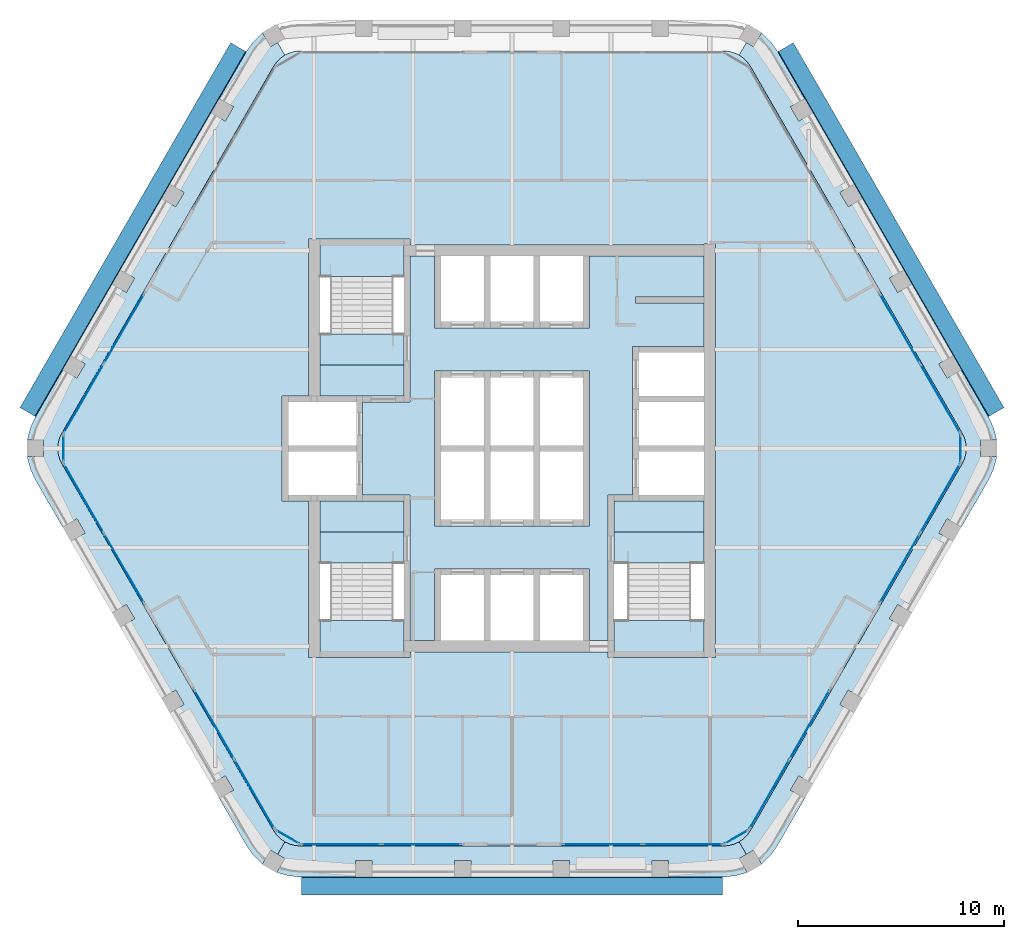
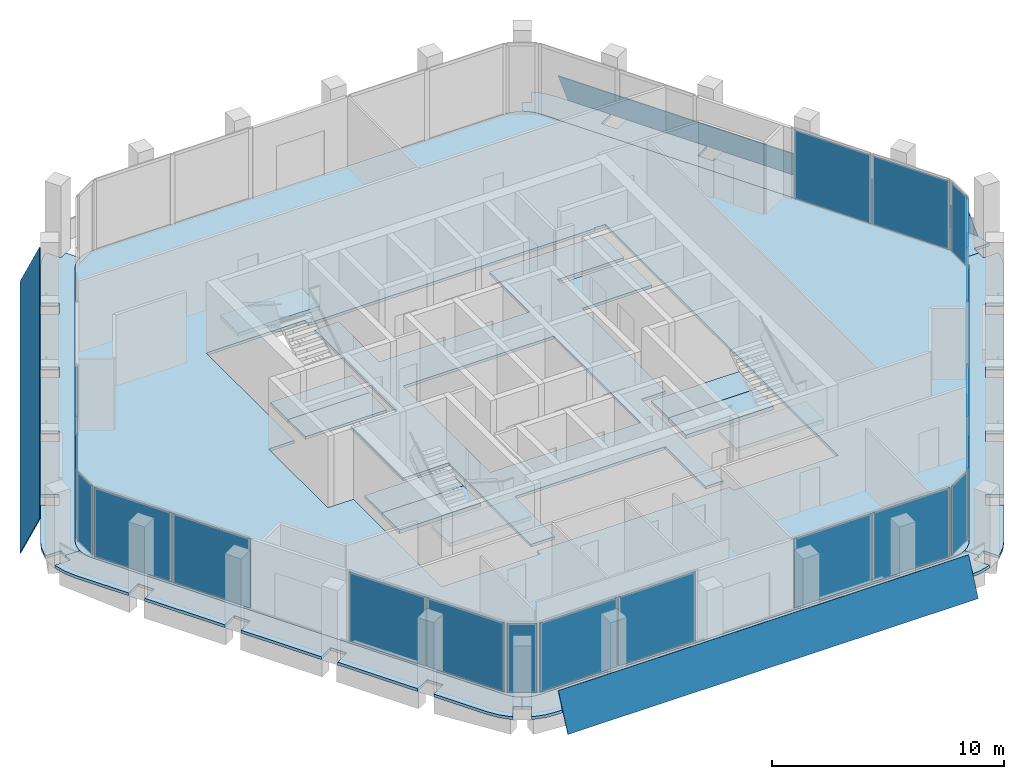
# One storey, part 6 of 13: 23 plates, 16 slabs, 15 elements without a shape of their own.
"""IFC4 building model written with IfcOpenShell, lengths in metres."""

from ifc_helpers import new_model, si_unit, direction, frame, origin, origin_2d, place, context, subcontext, project, spatial, polyline, rectangle, outline, extrude, material, layer, layer_set, type_object, element, aggregate, save


model = new_model("IFC4")

# Units and contexts
model_context = context("Model", 3, precision=1e-05, world=origin(), true_north=direction((0.0, 1.0)))
body_context = subcontext(model_context, "Body", "Model", "MODEL_VIEW")
ifc_project = project(units=[si_unit("LENGTHUNIT", "METRE"), si_unit("AREAUNIT", "SQUARE_METRE"), si_unit("VOLUMEUNIT", "CUBIC_METRE"), si_unit("PLANEANGLEUNIT", "RADIAN"), si_unit("MASSUNIT", "GRAM", prefix="KILO")], contexts=[model_context])

# Site, building, storey
site_placement = place(None, origin())
site = spatial("IfcSite", under=ifc_project, at=site_placement, CompositionType="ELEMENT")
building_placement = place(site_placement, origin())
building = spatial("IfcBuilding", under=site, at=building_placement, Name="Kolab Exchange Tower", CompositionType="ELEMENT")
storey_placement = place(building_placement, frame((0.0, 0.0, 277.39990234375)))
storey = spatial("IfcBuildingStorey", under=building, at=storey_placement, Name="L62", CompositionType="ELEMENT", Elevation=277.39990234375)

# Slabs
ifc_material_1 = material(Name="Concrete C35/45", Category="concrete")
ifc_layer_1 = layer(ifc_material_1, 0.14990234375)
ifc_layer_set_1 = layer_set([ifc_layer_1], Name="Concrete C35/45")
slab_type_1 = type_object("IfcSlabType", Name="FLOOR SLAB 150", PredefinedType="FLOOR", material=ifc_layer_set_1)
slab_1_placement = place(storey_placement, frame((0.0, 0.0, -0.14990234375)))
element("IfcSlab", 1, at=slab_1_placement, inside=storey, type_object=slab_type_1, Name="slab/L62/floor/0", PredefinedType="FLOOR", context=body_context, shape_type="SweptSolid", body=[
    extrude(outline(polyline([(11.56689453125, -18.53466796875), (21.8349609375, -0.75), (21.945556640625, -0.512939453125), (22.01318359375, -0.260498046875), (22.035888671875, 0.0), (22.01318359375, 0.260498046875), (21.945556640625, 0.512939453125), (21.8349609375, 0.75), (11.56689453125, 18.53466796875), (11.4169921875, 18.748779296875), (11.232177734375, 18.93359375), (11.01806640625, 19.083740234375), (10.781005859375, 19.194091796875), (10.5283203125, 19.26171875), (10.26806640625, 19.28466796875), (-10.26806640625, 19.28466796875), (-10.5283203125, 19.26171875), (-10.781005859375, 19.194091796875), (-11.01806640625, 19.083740234375), (-11.232177734375, 18.93359375), (-11.4169921875, 18.748779296875), (-11.56689453125, 18.53466796875), (-21.8349609375, 0.75), (-21.945556640625, 0.512939453125), (-22.01318359375, 0.260498046875), (-22.035888671875, 0.0), (-22.01318359375, -0.260498046875), (-21.945556640625, -0.512939453125), (-21.8349609375, -0.75), (-11.56689453125, -18.53466796875), (-11.4169921875, -18.748779296875), (-11.232177734375, -18.93359375), (-11.01806640625, -19.083740234375), (-10.781005859375, -19.194091796875), (-10.5283203125, -19.26171875), (-10.26806640625, -19.28466796875), (10.26806640625, -19.28466796875), (10.5283203125, -19.26171875), (10.781005859375, -19.194091796875), (11.01806640625, -19.083740234375), (11.232177734375, -18.93359375), (11.4169921875, -18.748779296875), (11.56689453125, -18.53466796875)]), holes=[polyline([(-9.324951171875, -10.14990234375), (-9.875, -10.14990234375), (-9.875, -2.550048828125), (-10.85009765625, -2.550048828125), (-11.14990234375, -2.550048828125), (-11.14990234375, 2.550048828125), (-10.85009765625, 2.550048828125), (-9.875, 2.550048828125), (-9.875, 10.14990234375), (-9.324951171875, 10.14990234375), (-5.25, 10.14990234375), (-4.949951171875, 10.14990234375), (-4.949951171875, 9.875), (9.324951171875, 9.875), (9.324951171875, 9.925048828125), (9.875, 9.925048828125), (9.875, -10.14990234375), (9.324951171875, -10.14990234375), (4.949951171875, -10.14990234375), (4.64990234375, -10.14990234375), (4.64990234375, -9.875), (-4.949951171875, -9.875), (-4.949951171875, -10.14990234375), (-5.25, -10.14990234375), (-9.324951171875, -10.14990234375)])]), origin(), (0.0, 0.0, 1.0), 0.14990234375),
])
slab_2_placement = place(storey_placement, frame((0.0, 0.0, -0.14990234375)))
element("IfcSlab", 2, at=slab_2_placement, inside=storey, type_object=slab_type_1, Name="slab/L62/floor/1", PredefinedType="FLOOR", context=body_context, shape_type="SweptSolid", body=[
    extrude(outline(polyline([(-4.949951171875, 9.324951171875), (-4.949951171875, 2.25), (-5.25, 2.25), (-7.25, 2.25), (-7.25, -2.25), (-5.25, -2.25), (-4.949951171875, -2.25), (-4.949951171875, -9.324951171875), (-3.75, -9.324951171875), (-3.75, -5.85009765625), (-3.449951171875, -5.85009765625), (-1.35009765625, -5.85009765625), (-1.050048828125, -5.85009765625), (1.050048828125, -5.85009765625), (1.35009765625, -5.85009765625), (3.449951171875, -5.85009765625), (3.75, -5.85009765625), (3.75, -9.324951171875), (4.64990234375, -9.324951171875), (4.64990234375, -2.25), (4.949951171875, -2.25), (5.85009765625, -2.25), (5.85009765625, 4.949951171875), (6.14990234375, 4.949951171875), (9.324951171875, 4.949951171875), (9.324951171875, 7.050048828125), (6.0, 7.050048828125), (6.0, 7.35009765625), (9.324951171875, 7.35009765625), (9.324951171875, 9.324951171875), (3.75, 9.324951171875), (3.75, 5.85009765625), (3.449951171875, 5.85009765625), (1.35009765625, 5.85009765625), (1.050048828125, 5.85009765625), (-1.050048828125, 5.85009765625), (-1.35009765625, 5.85009765625), (-3.449951171875, 5.85009765625), (-3.75, 5.85009765625), (-3.75, 9.324951171875), (-4.949951171875, 9.324951171875)]), holes=[polyline([(-3.449951171875, -3.75), (-3.75, -3.75), (-3.75, 3.75), (-3.449951171875, 3.75), (-1.35009765625, 3.75), (-1.050048828125, 3.75), (1.050048828125, 3.75), (1.35009765625, 3.75), (3.449951171875, 3.75), (3.75, 3.75), (3.75, -3.75), (3.449951171875, -3.75), (1.35009765625, -3.75), (1.050048828125, -3.75), (-1.050048828125, -3.75), (-1.35009765625, -3.75), (-3.449951171875, -3.75)])]), origin(), (0.0, 0.0, 1.0), 0.14990234375),
])
slab_3_placement = place(storey_placement, frame((0.0, 0.0, -0.14990234375)))
element("IfcSlab", 3, at=slab_3_placement, inside=storey, type_object=slab_type_1, Name="slab/L62/floor/2", PredefinedType="FLOOR", context=body_context, shape_type="SweptSolid", body=[
    extrude(outline(polyline([(4.949951171875, -2.550048828125), (4.949951171875, -4.050048828125), (9.324951171875, -4.050048828125), (9.324951171875, -2.550048828125), (6.14990234375, -2.550048828125), (5.85009765625, -2.550048828125), (4.949951171875, -2.550048828125)])), origin(), (0.0, 0.0, 1.0), 0.14990234375),
])
slab_4_placement = place(storey_placement, frame((0.0, 0.0, -0.14990234375)))
element("IfcSlab", 4, at=slab_4_placement, inside=storey, type_object=slab_type_1, Name="slab/L62/floor/3", PredefinedType="FLOOR", context=body_context, shape_type="SweptSolid", body=[
    extrude(outline(polyline([(-7.550048828125, -2.550048828125), (-9.324951171875, -2.550048828125), (-9.324951171875, -4.050048828125), (-5.25, -4.050048828125), (-5.25, -2.550048828125), (-7.25, -2.550048828125), (-7.550048828125, -2.550048828125)])), origin(), (0.0, 0.0, 1.0), 0.14990234375),
])
slab_5_placement = place(storey_placement, frame((0.0, 0.0, -0.14990234375)))
element("IfcSlab", 5, at=slab_5_placement, inside=storey, type_object=slab_type_1, Name="slab/L62/floor/4", PredefinedType="FLOOR", context=body_context, shape_type="SweptSolid", body=[
    extrude(outline(polyline([(-9.324951171875, 4.050048828125), (-9.324951171875, 2.550048828125), (-7.550048828125, 2.550048828125), (-7.25, 2.550048828125), (-5.25, 2.550048828125), (-5.25, 4.050048828125), (-9.324951171875, 4.050048828125)])), origin(), (0.0, 0.0, 1.0), 0.14990234375),
])
ifc_layer_2 = layer(ifc_material_1, 0.14990234375)
ifc_layer_set_2 = layer_set([ifc_layer_2], Name="Concrete C35/45")
slab_type_2 = type_object("IfcSlabType", Name="LOGGIA SLAB 150", PredefinedType="FLOOR", material=ifc_layer_set_2)
slab_6_placement = place(storey_placement, frame((0.0, 0.0, -0.14990234375)))
element("IfcSlab", 6, at=slab_6_placement, inside=storey, type_object=slab_type_2, Name="slab/L62/loggia/1-0", PredefinedType="FLOOR", context=body_context, shape_type="SweptSolid", body=[
    extrude(outline(polyline([(22.035888671875, 0.0), (22.73583984375, 0.0), (22.73583984375, 0.39990234375), (23.5009765625, 0.39990234375), (23.490234375, 0.52099609375), (23.35498046875, 1.026123046875), (23.134033203125, 1.5), (21.800048828125, 3.810546875), (21.107177734375, 3.410400390625), (20.707275390625, 4.103271484375), (21.39990234375, 4.50341796875), (19.39990234375, 7.967529296875), (18.707275390625, 7.5673828125), (18.30712890625, 8.26025390625), (19.0, 8.66015625), (17.0, 12.124267578125), (16.30712890625, 11.724365234375), (15.9072265625, 12.417236328125), (16.60009765625, 12.817138671875), (14.60009765625, 16.28125), (13.9072265625, 15.88134765625), (13.507080078125, 16.57421875), (14.199951171875, 16.97412109375), (12.865966796875, 19.28466796875), (12.566162109375, 19.712890625), (12.1962890625, 20.082763671875), (12.096923828125, 20.15234375), (11.71435546875, 19.48974609375), (11.367919921875, 19.68994140625), (11.01806640625, 19.083740234375), (11.232177734375, 18.93359375), (11.4169921875, 18.748779296875), (11.56689453125, 18.53466796875), (21.8349609375, 0.75), (21.945556640625, 0.512939453125), (22.01318359375, 0.260498046875), (22.035888671875, 0.0)])), origin(), (0.0, 0.0, 1.0), 0.14990234375),
])
slab_7_placement = place(storey_placement, frame((0.0, 0.0, -0.14990234375)))
element("IfcSlab", 7, at=slab_7_placement, inside=storey, type_object=slab_type_2, Name="slab/L62/loggia/2-0", PredefinedType="FLOOR", context=body_context, shape_type="SweptSolid", body=[
    extrude(outline(polyline([(12.865966796875, -19.28466796875), (14.199951171875, -16.97412109375), (13.507080078125, -16.57421875), (13.9072265625, -15.88134765625), (14.60009765625, -16.28125), (16.60009765625, -12.817138671875), (15.9072265625, -12.417236328125), (16.30712890625, -11.724365234375), (17.0, -12.124267578125), (19.0, -8.66015625), (18.30712890625, -8.26025390625), (18.707275390625, -7.5673828125), (19.39990234375, -7.967529296875), (21.39990234375, -4.50341796875), (20.707275390625, -4.103271484375), (21.107177734375, -3.410400390625), (21.800048828125, -3.810546875), (23.134033203125, -1.5), (23.35498046875, -1.026123046875), (23.490234375, -0.52099609375), (23.5009765625, -0.39990234375), (22.73583984375, -0.39990234375), (22.73583984375, 0.0), (22.035888671875, 0.0), (22.01318359375, -0.260498046875), (21.945556640625, -0.512939453125), (21.8349609375, -0.75), (11.56689453125, -18.53466796875), (11.4169921875, -18.748779296875), (11.232177734375, -18.93359375), (11.01806640625, -19.083740234375), (11.367919921875, -19.68994140625), (11.71435546875, -19.48974609375), (12.096923828125, -20.15234375), (12.1962890625, -20.082763671875), (12.566162109375, -19.712890625), (12.865966796875, -19.28466796875)])), origin(), (0.0, 0.0, 1.0), 0.14990234375),
])
slab_8_placement = place(storey_placement, frame((0.0, 0.0, -0.14990234375)))
element("IfcSlab", 8, at=slab_8_placement, inside=storey, type_object=slab_type_2, Name="slab/L62/loggia/3-0", PredefinedType="FLOOR", context=body_context, shape_type="SweptSolid", body=[
    extrude(outline(polyline([(-11.01806640625, -19.083740234375), (-11.367919921875, -19.68994140625), (-11.021484375, -19.889892578125), (-11.404052734375, -20.552490234375), (-11.2939453125, -20.603759765625), (-10.788818359375, -20.739013671875), (-10.26806640625, -20.78466796875), (-7.60009765625, -20.78466796875), (-7.60009765625, -19.984619140625), (-6.800048828125, -19.984619140625), (-6.800048828125, -20.78466796875), (-2.800048828125, -20.78466796875), (-2.800048828125, -19.984619140625), (-2.0, -19.984619140625), (-2.0, -20.78466796875), (2.0, -20.78466796875), (2.0, -19.984619140625), (2.800048828125, -19.984619140625), (2.800048828125, -20.78466796875), (6.800048828125, -20.78466796875), (6.800048828125, -19.984619140625), (7.60009765625, -19.984619140625), (7.60009765625, -20.78466796875), (10.26806640625, -20.78466796875), (10.788818359375, -20.739013671875), (11.2939453125, -20.603759765625), (11.404052734375, -20.552490234375), (11.021484375, -19.889892578125), (11.367919921875, -19.68994140625), (11.01806640625, -19.083740234375), (10.781005859375, -19.194091796875), (10.5283203125, -19.26171875), (10.26806640625, -19.28466796875), (-10.26806640625, -19.28466796875), (-10.5283203125, -19.26171875), (-10.781005859375, -19.194091796875), (-11.01806640625, -19.083740234375)])), origin(), (0.0, 0.0, 1.0), 0.14990234375),
])
slab_9_placement = place(storey_placement, frame((0.0, 0.0, -0.14990234375)))
element("IfcSlab", 9, at=slab_9_placement, inside=storey, type_object=slab_type_2, Name="slab/L62/loggia/4-0", PredefinedType="FLOOR", context=body_context, shape_type="SweptSolid", body=[
    extrude(outline(polyline([(-22.035888671875, 0.0), (-22.73583984375, 0.0), (-22.73583984375, -0.39990234375), (-23.5009765625, -0.39990234375), (-23.490234375, -0.52099609375), (-23.35498046875, -1.026123046875), (-23.134033203125, -1.5), (-21.800048828125, -3.810546875), (-21.107177734375, -3.410400390625), (-20.707275390625, -4.103271484375), (-21.39990234375, -4.50341796875), (-19.39990234375, -7.967529296875), (-18.707275390625, -7.5673828125), (-18.30712890625, -8.26025390625), (-19.0, -8.66015625), (-17.0, -12.124267578125), (-16.30712890625, -11.724365234375), (-15.9072265625, -12.417236328125), (-16.60009765625, -12.817138671875), (-14.60009765625, -16.28125), (-13.9072265625, -15.88134765625), (-13.507080078125, -16.57421875), (-14.199951171875, -16.97412109375), (-12.865966796875, -19.28466796875), (-12.566162109375, -19.712890625), (-12.1962890625, -20.082763671875), (-12.096923828125, -20.15234375), (-11.71435546875, -19.48974609375), (-11.367919921875, -19.68994140625), (-11.01806640625, -19.083740234375), (-11.232177734375, -18.93359375), (-11.4169921875, -18.748779296875), (-11.56689453125, -18.53466796875), (-21.8349609375, -0.75), (-21.945556640625, -0.512939453125), (-22.01318359375, -0.260498046875), (-22.035888671875, 0.0)])), origin(), (0.0, 0.0, 1.0), 0.14990234375),
])
slab_10_placement = place(storey_placement, frame((0.0, 0.0, -0.14990234375)))
element("IfcSlab", 10, at=slab_10_placement, inside=storey, type_object=slab_type_2, Name="slab/L62/loggia/5-0", PredefinedType="FLOOR", context=body_context, shape_type="SweptSolid", body=[
    extrude(outline(polyline([(-11.01806640625, 19.083740234375), (-11.367919921875, 19.68994140625), (-11.71435546875, 19.48974609375), (-12.096923828125, 20.15234375), (-12.1962890625, 20.082763671875), (-12.566162109375, 19.712890625), (-12.865966796875, 19.28466796875), (-14.199951171875, 16.97412109375), (-13.507080078125, 16.57421875), (-13.9072265625, 15.88134765625), (-14.60009765625, 16.28125), (-16.60009765625, 12.817138671875), (-15.9072265625, 12.417236328125), (-16.30712890625, 11.724365234375), (-17.0, 12.124267578125), (-19.0, 8.66015625), (-18.30712890625, 8.26025390625), (-18.707275390625, 7.5673828125), (-19.39990234375, 7.967529296875), (-21.39990234375, 4.50341796875), (-20.707275390625, 4.103271484375), (-21.107177734375, 3.410400390625), (-21.800048828125, 3.810546875), (-23.134033203125, 1.5), (-23.35498046875, 1.026123046875), (-23.490234375, 0.52099609375), (-23.5009765625, 0.39990234375), (-22.73583984375, 0.39990234375), (-22.73583984375, 0.0), (-22.035888671875, 0.0), (-22.01318359375, 0.260498046875), (-21.945556640625, 0.512939453125), (-21.8349609375, 0.75), (-11.56689453125, 18.53466796875), (-11.4169921875, 18.748779296875), (-11.232177734375, 18.93359375), (-11.01806640625, 19.083740234375)])), origin(), (0.0, 0.0, 1.0), 0.14990234375),
])

# Plates
ifc_material_2 = material(Name="Laminated glass, clear", Category="glass")
ifc_layer_3 = layer(ifc_material_2, 0.0400390625)
ifc_layer_set_3 = layer_set([ifc_layer_3], Name="Laminated glass, clear")
plate_type_1 = type_object("IfcPlateType", Name="OUTER SKIN LAMINATED GLASS SHEET 40", PredefinedType="SHEET", material=ifc_layer_set_3)
plate_1_placement = place(storey_placement, frame((13.6494140625, 19.67919921875, -0.68310546875), z_axis=(0.784886322863, 0.453152182031, 0.422618693508), x_axis=(0.499997422494, -0.866026891901, 1.981408e-06)))
element("IfcPlate", 11, at=plate_1_placement, inside=storey, type_object=plate_type_1, Name="Outer skin", PredefinedType="SHEET", context=body_context, shape_type="SweptSolid", body=[
    extrude(outline(polyline([(0.0, 0.0), (20.435802623779963, 0.0), (20.435856947346753, -1.9860898935068516), (-6.774611643567295e-05, -1.9861792489881693), (0.0, 0.0)])), origin(), (0.0, 0.0, -1.0), 0.0400390625),
])
plate_2_placement = place(storey_placement, frame((10.218017578125, -21.66015625, -0.68310546875), z_axis=(0.0, -0.906311853188, 0.422609541742), x_axis=(-1.0, 0.0, 0.0)))
element("IfcPlate", 12, at=plate_2_placement, inside=storey, type_object=plate_type_1, Name="Outer skin", PredefinedType="SHEET", context=body_context, shape_type="SweptSolid", body=[
    extrude(outline(polyline([(0.0, 0.0), (20.43603515625, 0.0), (20.43603515625, -1.9861252192534886), (0.0, -1.9861252192534886), (0.0, 0.0)])), origin(), (0.0, 0.0, -1.0), 0.0400390625),
])
plate_3_placement = place(storey_placement, frame((-23.8671875, 1.981201171875, -0.68310546875), z_axis=(-0.784886322863, 0.453152182031, 0.422618693508), x_axis=(0.499997422494, 0.866026891901, -1.981408e-06)))
element("IfcPlate", 13, at=plate_3_placement, inside=storey, type_object=plate_type_1, Name="Outer skin", PredefinedType="SHEET", context=body_context, shape_type="SweptSolid", body=[
    extrude(outline(polyline([(0.0, 0.0), (20.435802623779963, 0.0), (20.435870369896403, -1.9861792489881698), (-5.4323566790471804e-05, -1.9860898935068518), (0.0, 0.0)])), origin(), (0.0, 0.0, -1.0), 0.0400390625),
])

# Stair, slabs
ifc_material_3 = material(Name="Concrete C50/60", Category="concrete")
stair_type_1 = type_object("IfcStairType", Name="STAIR ST1 RISER 177.3", PredefinedType="HALF_TURN_STAIR", material=ifc_material_3)
stair_1_placement = place(storey_placement, origin())
stair_1 = element("IfcStair", 14, at=stair_1_placement, inside=storey, type_object=stair_type_1, Name="Stair 1", PredefinedType="HALF_TURN_STAIR")
ifc_layer_4 = layer(ifc_material_3, 0.199951171875)
ifc_layer_set_4 = layer_set([ifc_layer_4], Name="Concrete C50/60")
slab_type_3 = type_object("IfcSlabType", Name="STAIR LANDING 200", PredefinedType="LANDING", material=ifc_layer_set_4)
slab_11_placement = place(storey_placement, frame((0.0, 0.0, -0.199951171875)))
slab_11 = element("IfcSlab", 15, at=slab_11_placement, type_object=slab_type_3, Name="ST1 landing 1", PredefinedType="LANDING", context=body_context, shape_type="SweptSolid", body=[
    extrude(outline(polyline([(-9.324951171875, 4.050048828125), (-5.25, 4.050048828125), (-5.25, 5.550048828125), (-9.324951171875, 5.550048828125), (-9.324951171875, 4.050048828125)])), origin(), (0.0, 0.0, 1.0), 0.199951171875),
])
slab_12_placement = place(storey_placement, frame((0.0, 0.0, 1.75)))
slab_12 = element("IfcSlab", 16, at=slab_12_placement, type_object=slab_type_3, Name="ST1 landing 2", PredefinedType="LANDING", context=body_context, shape_type="SweptSolid", body=[
    extrude(outline(polyline([(-9.324951171875, 8.35009765625), (-5.25, 8.35009765625), (-5.25, 9.909912109375), (-9.324951171875, 9.909912109375), (-9.324951171875, 8.35009765625)])), origin(), (0.0, 0.0, 1.0), 0.2001953125),
])
aggregate(stair_1, [slab_11, slab_12])

stair_type_2 = type_object("IfcStairType", Name="STAIR ST3 RISER 177.3", PredefinedType="HALF_TURN_STAIR", material=ifc_material_3)
stair_2_placement = place(storey_placement, origin())
stair_2 = element("IfcStair", 17, at=stair_2_placement, inside=storey, type_object=stair_type_2, Name="Stair 3", PredefinedType="HALF_TURN_STAIR")
slab_13_placement = place(storey_placement, frame((0.0, 0.0, -0.199951171875)))
slab_13 = element("IfcSlab", 18, at=slab_13_placement, type_object=slab_type_3, Name="ST3 landing 1", PredefinedType="LANDING", context=body_context, shape_type="SweptSolid", body=[
    extrude(outline(polyline([(-9.324951171875, -5.550048828125), (-5.25, -5.550048828125), (-5.25, -4.050048828125), (-9.324951171875, -4.050048828125), (-9.324951171875, -5.550048828125)])), origin(), (0.0, 0.0, 1.0), 0.199951171875),
])
slab_14_placement = place(storey_placement, frame((0.0, 0.0, 1.75)))
slab_14 = element("IfcSlab", 19, at=slab_14_placement, type_object=slab_type_3, Name="ST3 landing 2", PredefinedType="LANDING", context=body_context, shape_type="SweptSolid", body=[
    extrude(outline(polyline([(-9.324951171875, -9.909912109375), (-5.25, -9.909912109375), (-5.25, -8.35009765625), (-9.324951171875, -8.35009765625), (-9.324951171875, -9.909912109375)])), origin(), (0.0, 0.0, 1.0), 0.2001953125),
])
aggregate(stair_2, [slab_13, slab_14])

stair_type_3 = type_object("IfcStairType", Name="STAIR ST2 RISER 177.3", PredefinedType="HALF_TURN_STAIR", material=ifc_material_3)
stair_3_placement = place(storey_placement, origin())
stair_3 = element("IfcStair", 20, at=stair_3_placement, inside=storey, type_object=stair_type_3, Name="Stair 2", PredefinedType="HALF_TURN_STAIR")
slab_15_placement = place(storey_placement, frame((0.0, 0.0, -0.199951171875)))
slab_15 = element("IfcSlab", 21, at=slab_15_placement, type_object=slab_type_3, Name="ST2 landing 1", PredefinedType="LANDING", context=body_context, shape_type="SweptSolid", body=[
    extrude(outline(polyline([(4.949951171875, -5.550048828125), (9.324951171875, -5.550048828125), (9.324951171875, -4.050048828125), (4.949951171875, -4.050048828125), (4.949951171875, -5.550048828125)])), origin(), (0.0, 0.0, 1.0), 0.199951171875),
])
slab_16_placement = place(storey_placement, frame((0.0, 0.0, 1.75)))
slab_16 = element("IfcSlab", 22, at=slab_16_placement, type_object=slab_type_3, Name="ST2 landing 2", PredefinedType="LANDING", context=body_context, shape_type="SweptSolid", body=[
    extrude(outline(polyline([(4.949951171875, -9.909912109375), (9.324951171875, -9.909912109375), (9.324951171875, -8.35009765625), (4.949951171875, -8.35009765625), (4.949951171875, -9.909912109375)])), origin(), (0.0, 0.0, 1.0), 0.2001953125),
])
aggregate(stair_3, [slab_15, slab_16])

# Curtain wall, plates
ifc_material_4 = material(Name="Aluminium EN AW-6063 T6", Category="aluminium")
curtain_wall_type = type_object("IfcCurtainWallType", Name="UNITISED HIGH ZONE CURTAIN WALL", PredefinedType="NOTDEFINED", material=ifc_material_4)
curtain_wall_1_placement = place(storey_placement, origin())
curtain_wall_1 = element("IfcCurtainWall", 23, at=curtain_wall_1_placement, inside=storey, type_object=curtain_wall_type, Name="cw/L62/F2-2", PredefinedType="NOTDEFINED")
ifc_material_5 = material(Name="Clear insulated glazing unit", Category="glass")
ifc_layer_5 = layer(ifc_material_5, 0.030029296875)
ifc_layer_set_5 = layer_set([ifc_layer_5], Name="Clear insulated glazing unit")
plate_type_2 = type_object("IfcPlateType", Name="UNITISED HIGH ZONE GLASS PANEL 30", PredefinedType="CURTAIN_PANEL", material=ifc_layer_set_5)
plate_4_placement = place(storey_placement, frame((18.82275390625, 5.807373046875, 0.06005859375), z_axis=(0.0, 0.0, 1.0), x_axis=(0.499999936366, -0.866025440524, 0.0)))
plate_4 = element("IfcPlate", 24, at=plate_4_placement, type_object=plate_type_2, Name="CW4 panel 1.1", PredefinedType="CURTAIN_PANEL", context=body_context, shape_type="SweptSolid", body=[
    extrude(rectangle(XDim=3.843994140625, YDim=0.030029296875, at=origin_2d()), origin(), (0.0, 0.0, 1.0), 3.6298828125),
])
plate_5_placement = place(storey_placement, frame((20.774658203125, 2.426513671875, 0.06005859375), z_axis=(0.0, 0.0, 1.0), x_axis=(0.499999936366, -0.866025440524, 0.0)))
plate_5 = element("IfcPlate", 25, at=plate_5_placement, type_object=plate_type_2, Name="CW4 panel 2.1", PredefinedType="CURTAIN_PANEL", context=body_context, shape_type="SweptSolid", body=[
    extrude(rectangle(XDim=3.843994140625, YDim=0.030029296875, at=origin_2d()), origin(), (0.0, 0.0, 1.0), 3.6298828125),
])
aggregate(curtain_wall_1, [plate_4, plate_5])

curtain_wall_2_placement = place(storey_placement, origin())
curtain_wall_2 = element("IfcCurtainWall", 26, at=curtain_wall_2_placement, inside=storey, type_object=curtain_wall_type, Name="cw/L62/F3-1", PredefinedType="NOTDEFINED")
plate_6_placement = place(storey_placement, frame((20.774658203125, -2.426513671875, 0.06005859375), z_axis=(0.0, 0.0, 1.0), x_axis=(-0.499999936366, -0.866025440524, 0.0)))
plate_6 = element("IfcPlate", 27, at=plate_6_placement, type_object=plate_type_2, Name="CW4 panel 1.1", PredefinedType="CURTAIN_PANEL", context=body_context, shape_type="SweptSolid", body=[
    extrude(rectangle(XDim=3.843994140625, YDim=0.030029296875, at=origin_2d()), origin(), (0.0, 0.0, 1.0), 3.6298828125),
])
plate_7_placement = place(storey_placement, frame((18.82275390625, -5.807373046875, 0.06005859375), z_axis=(0.0, 0.0, 1.0), x_axis=(-0.499999936366, -0.866025440524, 0.0)))
plate_7 = element("IfcPlate", 28, at=plate_7_placement, type_object=plate_type_2, Name="CW4 panel 2.1", PredefinedType="CURTAIN_PANEL", context=body_context, shape_type="SweptSolid", body=[
    extrude(rectangle(XDim=3.843994140625, YDim=0.030029296875, at=origin_2d()), origin(), (0.0, 0.0, 1.0), 3.6298828125),
])
aggregate(curtain_wall_2, [plate_6, plate_7])

curtain_wall_3_placement = place(storey_placement, origin())
curtain_wall_3 = element("IfcCurtainWall", 29, at=curtain_wall_3_placement, inside=storey, type_object=curtain_wall_type, Name="cw/L62/F3-2", PredefinedType="NOTDEFINED")
plate_8_placement = place(storey_placement, frame((14.440673828125, -13.397216796875, 0.06005859375), z_axis=(0.0, 0.0, 1.0), x_axis=(-0.500000031681, -0.866025385493, 0.0)))
plate_8 = element("IfcPlate", 30, at=plate_8_placement, type_object=plate_type_2, Name="CW4 panel 1.1", PredefinedType="CURTAIN_PANEL", context=body_context, shape_type="SweptSolid", body=[
    extrude(rectangle(XDim=3.843994140625, YDim=0.030029296875, at=origin_2d()), origin(), (0.0, 0.0, 1.0), 3.6298828125),
])
plate_9_placement = place(storey_placement, frame((12.48876953125, -16.778076171875, 0.06005859375), z_axis=(0.0, 0.0, 1.0), x_axis=(-0.500000031681, -0.866025385493, 0.0)))
plate_9 = element("IfcPlate", 31, at=plate_9_placement, type_object=plate_type_2, Name="CW4 panel 2.1", PredefinedType="CURTAIN_PANEL", context=body_context, shape_type="SweptSolid", body=[
    extrude(rectangle(XDim=3.843994140625, YDim=0.030029296875, at=origin_2d()), origin(), (0.0, 0.0, 1.0), 3.6298828125),
])
aggregate(curtain_wall_3, [plate_8, plate_9])

curtain_wall_4_placement = place(storey_placement, origin())
curtain_wall_4 = element("IfcCurtainWall", 32, at=curtain_wall_4_placement, inside=storey, type_object=curtain_wall_type, Name="cw/L62/F4-1", PredefinedType="NOTDEFINED")
plate_10_placement = place(storey_placement, frame((8.285888671875, -19.20458984375, 0.06005859375), z_axis=(0.0, 0.0, 1.0), x_axis=(-1.0, 0.0, 0.0)))
plate_10 = element("IfcPlate", 33, at=plate_10_placement, type_object=plate_type_2, Name="CW4 panel 1.1", PredefinedType="CURTAIN_PANEL", context=body_context, shape_type="SweptSolid", body=[
    extrude(rectangle(XDim=3.843994140625, YDim=0.030029296875, at=origin_2d()), origin(), (0.0, 0.0, 1.0), 3.6298828125),
])
plate_11_placement = place(storey_placement, frame((4.382080078125, -19.20458984375, 0.06005859375), z_axis=(0.0, 0.0, 1.0), x_axis=(-1.0, 0.0, 0.0)))
plate_11 = element("IfcPlate", 34, at=plate_11_placement, type_object=plate_type_2, Name="CW4 panel 2.1", PredefinedType="CURTAIN_PANEL", context=body_context, shape_type="SweptSolid", body=[
    extrude(rectangle(XDim=3.843994140625, YDim=0.030029296875, at=origin_2d()), origin(), (0.0, 0.0, 1.0), 3.6298828125),
])
aggregate(curtain_wall_4, [plate_10, plate_11])

curtain_wall_5_placement = place(storey_placement, origin())
curtain_wall_5 = element("IfcCurtainWall", 35, at=curtain_wall_5_placement, inside=storey, type_object=curtain_wall_type, Name="cw/L62/F4-2", PredefinedType="NOTDEFINED")
plate_12_placement = place(storey_placement, frame((-4.382080078125, -19.20458984375, 0.06005859375), z_axis=(0.0, 0.0, 1.0), x_axis=(-1.0, 0.0, 0.0)))
plate_12 = element("IfcPlate", 36, at=plate_12_placement, type_object=plate_type_2, Name="CW4 panel 1.1", PredefinedType="CURTAIN_PANEL", context=body_context, shape_type="SweptSolid", body=[
    extrude(rectangle(XDim=3.843994140625, YDim=0.030029296875, at=origin_2d()), origin(), (0.0, 0.0, 1.0), 3.6298828125),
])
plate_13_placement = place(storey_placement, frame((-8.285888671875, -19.20458984375, 0.06005859375), z_axis=(0.0, 0.0, 1.0), x_axis=(-1.0, 0.0, 0.0)))
plate_13 = element("IfcPlate", 37, at=plate_13_placement, type_object=plate_type_2, Name="CW4 panel 2.1", PredefinedType="CURTAIN_PANEL", context=body_context, shape_type="SweptSolid", body=[
    extrude(rectangle(XDim=3.843994140625, YDim=0.030029296875, at=origin_2d()), origin(), (0.0, 0.0, 1.0), 3.6298828125),
])
aggregate(curtain_wall_5, [plate_12, plate_13])

curtain_wall_6_placement = place(storey_placement, origin())
curtain_wall_6 = element("IfcCurtainWall", 38, at=curtain_wall_6_placement, inside=storey, type_object=curtain_wall_type, Name="cw/L62/F5-1", PredefinedType="NOTDEFINED")
plate_14_placement = place(storey_placement, frame((-12.48876953125, -16.778076171875, 0.06005859375), z_axis=(0.0, 0.0, 1.0), x_axis=(-0.500000031681, 0.866025385493, 0.0)))
plate_14 = element("IfcPlate", 39, at=plate_14_placement, type_object=plate_type_2, Name="CW4 panel 1.1", PredefinedType="CURTAIN_PANEL", context=body_context, shape_type="SweptSolid", body=[
    extrude(rectangle(XDim=3.843994140625, YDim=0.030029296875, at=origin_2d()), origin(), (0.0, 0.0, 1.0), 3.6298828125),
])
plate_15_placement = place(storey_placement, frame((-14.440673828125, -13.397216796875, 0.06005859375), z_axis=(0.0, 0.0, 1.0), x_axis=(-0.500000031681, 0.866025385493, 0.0)))
plate_15 = element("IfcPlate", 40, at=plate_15_placement, type_object=plate_type_2, Name="CW4 panel 2.1", PredefinedType="CURTAIN_PANEL", context=body_context, shape_type="SweptSolid", body=[
    extrude(rectangle(XDim=3.843994140625, YDim=0.030029296875, at=origin_2d()), origin(), (0.0, 0.0, 1.0), 3.6298828125),
])
aggregate(curtain_wall_6, [plate_14, plate_15])

curtain_wall_7_placement = place(storey_placement, origin())
curtain_wall_7 = element("IfcCurtainWall", 41, at=curtain_wall_7_placement, inside=storey, type_object=curtain_wall_type, Name="cw/L62/F5-2", PredefinedType="NOTDEFINED")
plate_16_placement = place(storey_placement, frame((-18.82275390625, -5.807373046875, 0.06005859375), z_axis=(0.0, 0.0, 1.0), x_axis=(-0.499999936366, 0.866025440524, 0.0)))
plate_16 = element("IfcPlate", 42, at=plate_16_placement, type_object=plate_type_2, Name="CW4 panel 1.1", PredefinedType="CURTAIN_PANEL", context=body_context, shape_type="SweptSolid", body=[
    extrude(rectangle(XDim=3.843994140625, YDim=0.030029296875, at=origin_2d()), origin(), (0.0, 0.0, 1.0), 3.6298828125),
])
plate_17_placement = place(storey_placement, frame((-20.774658203125, -2.426513671875, 0.06005859375), z_axis=(0.0, 0.0, 1.0), x_axis=(-0.499999936366, 0.866025440524, 0.0)))
plate_17 = element("IfcPlate", 43, at=plate_17_placement, type_object=plate_type_2, Name="CW4 panel 2.1", PredefinedType="CURTAIN_PANEL", context=body_context, shape_type="SweptSolid", body=[
    extrude(rectangle(XDim=3.843994140625, YDim=0.030029296875, at=origin_2d()), origin(), (0.0, 0.0, 1.0), 3.6298828125),
])
aggregate(curtain_wall_7, [plate_16, plate_17])

curtain_wall_8_placement = place(storey_placement, origin())
curtain_wall_8 = element("IfcCurtainWall", 44, at=curtain_wall_8_placement, inside=storey, type_object=curtain_wall_type, Name="cw/L62/F6-1", PredefinedType="NOTDEFINED")
plate_18_placement = place(storey_placement, frame((-20.774658203125, 2.426513671875, 0.06005859375), z_axis=(0.0, 0.0, 1.0), x_axis=(0.499999936366, 0.866025440524, 0.0)))
plate_18 = element("IfcPlate", 45, at=plate_18_placement, type_object=plate_type_2, Name="CW4 panel 1.1", PredefinedType="CURTAIN_PANEL", context=body_context, shape_type="SweptSolid", body=[
    extrude(rectangle(XDim=3.843994140625, YDim=0.030029296875, at=origin_2d()), origin(), (0.0, 0.0, 1.0), 3.6298828125),
])
plate_19_placement = place(storey_placement, frame((-18.82275390625, 5.807373046875, 0.06005859375), z_axis=(0.0, 0.0, 1.0), x_axis=(0.499999936366, 0.866025440524, 0.0)))
plate_19 = element("IfcPlate", 46, at=plate_19_placement, type_object=plate_type_2, Name="CW4 panel 2.1", PredefinedType="CURTAIN_PANEL", context=body_context, shape_type="SweptSolid", body=[
    extrude(rectangle(XDim=3.843994140625, YDim=0.030029296875, at=origin_2d()), origin(), (0.0, 0.0, 1.0), 3.6298828125),
])
aggregate(curtain_wall_8, [plate_18, plate_19])

# Curtain wall, plate
curtain_wall_9_placement = place(storey_placement, origin())
curtain_wall_9 = element("IfcCurtainWall", 47, at=curtain_wall_9_placement, inside=storey, type_object=curtain_wall_type, Name="cw/L62/F2F3-corner", PredefinedType="NOTDEFINED")
plate_20_placement = place(storey_placement, frame((21.765625, 0.0, 0.06005859375), z_axis=(0.0, 0.0, 1.0), x_axis=(0.0, -1.0, 0.0)))
plate_20 = element("IfcPlate", 48, at=plate_20_placement, type_object=plate_type_2, Name="CW4 panel 1.1", PredefinedType="CURTAIN_PANEL", context=body_context, shape_type="SweptSolid", body=[
    extrude(rectangle(XDim=1.300048828125, YDim=0.030029296875, at=origin_2d()), origin(), (0.0, 0.0, 1.0), 3.6298828125),
])
aggregate(curtain_wall_9, [plate_20])

curtain_wall_10_placement = place(storey_placement, origin())
curtain_wall_10 = element("IfcCurtainWall", 49, at=curtain_wall_10_placement, inside=storey, type_object=curtain_wall_type, Name="cw/L62/F3F4-corner", PredefinedType="NOTDEFINED")
plate_21_placement = place(storey_placement, frame((10.8828125, -18.849609375, 0.06005859375), z_axis=(0.0, 0.0, 1.0), x_axis=(-0.866025390869, -0.50000002237, 0.0)))
plate_21 = element("IfcPlate", 50, at=plate_21_placement, type_object=plate_type_2, Name="CW4 panel 1.1", PredefinedType="CURTAIN_PANEL", context=body_context, shape_type="SweptSolid", body=[
    extrude(rectangle(XDim=1.300048828125, YDim=0.030029296875, at=origin_2d()), origin(), (0.0, 0.0, 1.0), 3.6298828125),
])
aggregate(curtain_wall_10, [plate_21])

curtain_wall_11_placement = place(storey_placement, origin())
curtain_wall_11 = element("IfcCurtainWall", 51, at=curtain_wall_11_placement, inside=storey, type_object=curtain_wall_type, Name="cw/L62/F4F5-corner", PredefinedType="NOTDEFINED")
plate_22_placement = place(storey_placement, frame((-10.8828125, -18.849609375, 0.06005859375), z_axis=(0.0, 0.0, 1.0), x_axis=(-0.866025390869, 0.50000002237, 0.0)))
plate_22 = element("IfcPlate", 52, at=plate_22_placement, type_object=plate_type_2, Name="CW4 panel 1.1", PredefinedType="CURTAIN_PANEL", context=body_context, shape_type="SweptSolid", body=[
    extrude(rectangle(XDim=1.300048828125, YDim=0.030029296875, at=origin_2d()), origin(), (0.0, 0.0, 1.0), 3.6298828125),
])
aggregate(curtain_wall_11, [plate_22])

curtain_wall_12_placement = place(storey_placement, origin())
curtain_wall_12 = element("IfcCurtainWall", 53, at=curtain_wall_12_placement, inside=storey, type_object=curtain_wall_type, Name="cw/L62/F5F6-corner", PredefinedType="NOTDEFINED")
plate_23_placement = place(storey_placement, frame((-21.765625, 0.0, 0.06005859375), z_axis=(0.0, 0.0, 1.0), x_axis=(0.0, 1.0, 0.0)))
plate_23 = element("IfcPlate", 54, at=plate_23_placement, type_object=plate_type_2, Name="CW4 panel 1.1", PredefinedType="CURTAIN_PANEL", context=body_context, shape_type="SweptSolid", body=[
    extrude(rectangle(XDim=1.300048828125, YDim=0.030029296875, at=origin_2d()), origin(), (0.0, 0.0, 1.0), 3.6298828125),
])
aggregate(curtain_wall_12, [plate_23])

save(model, "model.ifc")
